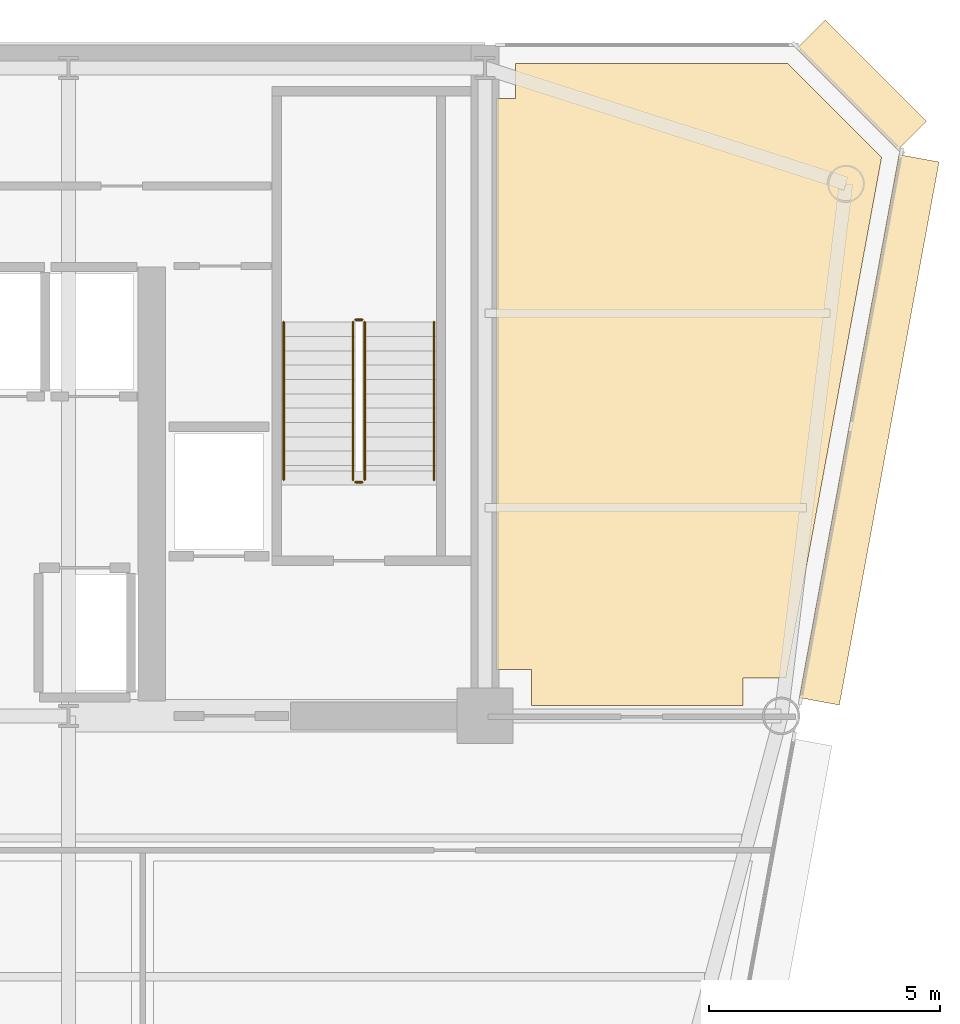
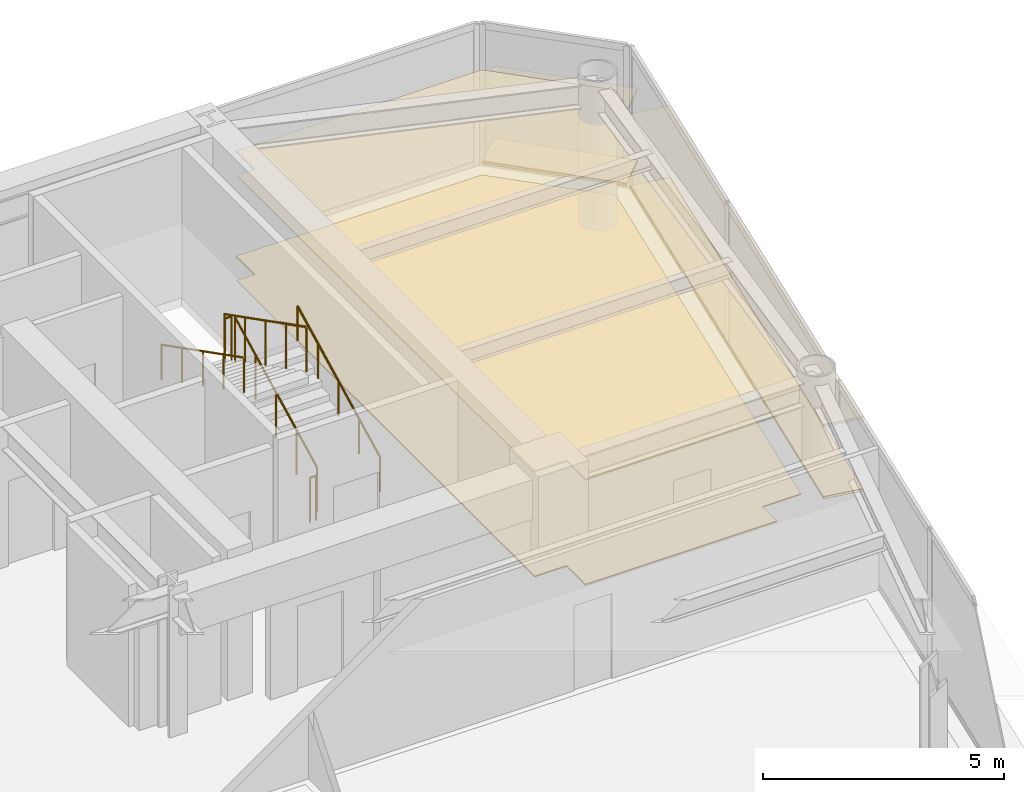
# One storey, part 15 of 15: 6 coverings, 6 railings.
"""IFC4 building model written with IfcOpenShell, lengths in metres."""

from ifc_helpers import new_model, si_unit, direction, frame, origin, origin_2d, place, context, subcontext, project, spatial, polyline, rectangle, circle, outline, extrude, source, transform, mapped, material, layer, layer_set, type_object, element, save


model = new_model("IFC4")

# Units and contexts
model_context = context("Model", 3, precision=1e-05, world=origin(), true_north=direction((0.0, 1.0)))
body_context = subcontext(model_context, "Body", "Model", "MODEL_VIEW")
ifc_project = project(units=[si_unit("LENGTHUNIT", "METRE"), si_unit("AREAUNIT", "SQUARE_METRE"), si_unit("VOLUMEUNIT", "CUBIC_METRE"), si_unit("PLANEANGLEUNIT", "RADIAN"), si_unit("MASSUNIT", "GRAM", prefix="KILO")], contexts=[model_context])

# Site, building, storey
site_placement = place(None, origin())
site = spatial("IfcSite", under=ifc_project, at=site_placement, CompositionType="ELEMENT")
building_placement = place(site_placement, origin())
building = spatial("IfcBuilding", under=site, at=building_placement, Name="Vaeldorn Concourse Tower", CompositionType="ELEMENT")
storey_placement = place(building_placement, frame((0.0, 0.0, 199.39990234375)))
storey = spatial("IfcBuildingStorey", under=building, at=storey_placement, Name="L51", CompositionType="ELEMENT", Elevation=199.39990234375)

# Coverings
ifc_material_1 = material(Name="Acoustic Mineral Fibre Board", Category="gypsum")
ifc_layer_1 = layer(ifc_material_1, 0.0400390625)
ifc_layer_set_1 = layer_set([ifc_layer_1], Name="Acoustic Mineral Fibre Board")
covering_type_1 = type_object("IfcCoveringType", Name="COV-CEIL-ACOUSTIC", PredefinedType="CEILING", material=ifc_layer_set_1)
covering_1_placement = place(storey_placement, frame((0.0, 0.0, 2.650146484375)))
element("IfcCovering", 1, at=covering_1_placement, inside=storey, type_object=covering_type_1, Name="Suspended Acoustic Ceiling L51-4", PredefinedType="CEILING", context=body_context, shape_type="SweptSolid", body=[
    extrude(outline(polyline([(54.659912109375, 49.840087890625), (54.659912109375, 50.60009765625), (60.5341796875, 50.60009765625), (62.568603515625, 48.565673828125), (60.50390625, 37.320068359375), (59.580078125, 37.320068359375), (59.580078125, 36.719970703125), (55.0, 36.719970703125), (55.0, 37.5), (54.239990234375, 37.5), (54.239990234375, 49.840087890625), (54.659912109375, 49.840087890625)])), origin(), (0.0, 0.0, 1.0), 0.0400390625),
])
ifc_material_2 = material(Name="Honed Limestone Terrazzo Flooring", Category="masonry")
ifc_layer_2 = layer(ifc_material_2, 0.0400390625)
ifc_layer_set_2 = layer_set([ifc_layer_2], Name="Honed Limestone Terrazzo Flooring")
covering_type_2 = type_object("IfcCoveringType", Name="COV-FLOOR-STONE", PredefinedType="FLOORING", material=ifc_layer_set_2)
covering_2_placement = place(storey_placement, origin())
element("IfcCovering", 2, at=covering_2_placement, inside=storey, type_object=covering_type_2, Name="Floor Finish Covering L51-4", PredefinedType="FLOORING", context=body_context, shape_type="SweptSolid", body=[
    extrude(outline(polyline([(54.659912109375, 49.840087890625), (54.659912109375, 50.60009765625), (60.5341796875, 50.60009765625), (62.568603515625, 48.565673828125), (60.50390625, 37.320068359375), (59.580078125, 37.320068359375), (59.580078125, 36.719970703125), (55.0, 36.719970703125), (55.0, 37.5), (54.239990234375, 37.5), (54.239990234375, 49.840087890625), (54.659912109375, 49.840087890625)])), origin(), (0.0, 0.0, 1.0), 0.030029296875),
])

# Railings
ifc_material_3 = material(Name="Anodised Bronze Aluminium", Category="aluminium")
railing_type_1 = type_object("IfcRailingType", Name="RL-STAIR-GUARD", PredefinedType="GUARDRAIL", material=ifc_material_3)
railing_1_placement = place(storey_placement, frame((51.39990234375, 41.60009765625, 0.158447265625)))
element("IfcRailing", 3, at=railing_1_placement, inside=storey, type_object=railing_type_1, Name="L51 ST-2 stair guard 1", PredefinedType="GUARDRAIL", context=body_context, shape_type="SweptSolid", body=[
    extrude(circle(Radius=0.02392578125, at=origin_2d()), frame((0.0, 0.0, 1.1259765625), z_axis=(0.0, 0.890555807335, 0.454873997962), x_axis=(-1.0, 0.0, 0.0)), (0.0, 0.0, 1.0), 3.828857421875),
    extrude(circle(Radius=0.02099609375, at=origin_2d()), origin(), (0.0, 0.0, 1.0), 1.101806640625),
    extrude(circle(Radius=0.02099609375, at=origin_2d()), frame((0.0, 0.8525390625, 0.435546875)), (0.0, 0.0, 1.0), 1.101806640625),
    extrude(circle(Radius=0.02099609375, at=origin_2d()), frame((0.0, 1.705078125, 0.870849609375)), (0.0, 0.0, 1.0), 1.101806640625),
    extrude(circle(Radius=0.02099609375, at=origin_2d()), frame((0.0, 2.557373046875, 1.30615234375)), (0.0, 0.0, 1.0), 1.101806640625),
    extrude(circle(Radius=0.02099609375, at=origin_2d()), frame((0.0, 3.409912109375, 1.74169921875)), (0.0, 0.0, 1.0), 1.101806640625),
])
railing_2_placement = place(storey_placement, frame((51.35009765625, 45.06005859375, 1.900146484375)))
element("IfcRailing", 4, at=railing_2_placement, inside=storey, type_object=railing_type_1, Name="L51 ST-2 stair guard 2", PredefinedType="GUARDRAIL", context=body_context, shape_type="SweptSolid", body=[
    extrude(circle(Radius=0.02392578125, at=origin_2d()), frame((0.0, 0.0, 1.1259765625), z_axis=(-1.0, 0.0, 0.0), x_axis=(0.0, -1.0, 0.0)), (0.0, 0.0, 1.0), 0.150146484375),
    extrude(circle(Radius=0.02099609375, at=origin_2d()), origin(), (0.0, 0.0, 1.0), 1.101806640625),
    extrude(circle(Radius=0.02099609375, at=origin_2d()), frame((-0.150146484375, 0.0, 0.0)), (0.0, 0.0, 1.0), 1.101806640625),
])
railing_3_placement = place(storey_placement, frame((51.14990234375, 45.010009765625, 2.058349609375)))
element("IfcRailing", 5, at=railing_3_placement, inside=storey, type_object=railing_type_1, Name="L51 ST-2 stair guard 3", PredefinedType="GUARDRAIL", context=body_context, shape_type="SweptSolid", body=[
    extrude(circle(Radius=0.02392578125, at=origin_2d()), frame((0.0, 0.0, 1.1259765625), z_axis=(0.0, -0.890555807335, 0.454873997962), x_axis=(1.0, 0.0, 0.0)), (0.0, 0.0, 1.0), 3.828857421875),
    extrude(circle(Radius=0.02099609375, at=origin_2d()), origin(), (0.0, 0.0, 1.0), 1.101806640625),
    extrude(circle(Radius=0.02099609375, at=origin_2d()), frame((0.0, -0.8525390625, 0.435546875)), (0.0, 0.0, 1.0), 1.101806640625),
    extrude(circle(Radius=0.02099609375, at=origin_2d()), frame((0.0, -1.705078125, 0.870849609375)), (0.0, 0.0, 1.0), 1.101806640625),
    extrude(circle(Radius=0.02099609375, at=origin_2d()), frame((0.0, -2.557373046875, 1.30615234375)), (0.0, 0.0, 1.0), 1.101806640625),
    extrude(circle(Radius=0.02099609375, at=origin_2d()), frame((0.0, -3.409912109375, 1.74169921875)), (0.0, 0.0, 1.0), 1.101806640625),
])
railing_4_placement = place(storey_placement, frame((51.35009765625, 41.550048828125, 0.0)))
element("IfcRailing", 6, at=railing_4_placement, inside=storey, type_object=railing_type_1, Name="L51 ST-2 stair guard 4", PredefinedType="GUARDRAIL", context=body_context, shape_type="SweptSolid", body=[
    extrude(circle(Radius=0.02392578125, at=origin_2d()), frame((0.0, 0.0, 1.1259765625), z_axis=(-1.0, 0.0, 0.0), x_axis=(0.0, -1.0, 0.0)), (0.0, 0.0, 1.0), 0.150146484375),
    extrude(circle(Radius=0.02099609375, at=origin_2d()), origin(), (0.0, 0.0, 1.0), 1.101806640625),
    extrude(circle(Radius=0.02099609375, at=origin_2d()), frame((-0.150146484375, 0.0, 0.0)), (0.0, 0.0, 1.0), 1.101806640625),
])
railing_type_2 = type_object("IfcRailingType", Name="RL-STAIR-HANDRAIL", PredefinedType="HANDRAIL", material=ifc_material_3)
railing_5_placement = place(storey_placement, frame((52.89990234375, 41.60009765625, 0.158447265625)))
element("IfcRailing", 7, at=railing_5_placement, inside=storey, type_object=railing_type_2, Name="L51 ST-2 stair handrail 1", PredefinedType="HANDRAIL", context=body_context, shape_type="SweptSolid", body=[
    extrude(circle(Radius=0.02392578125, at=origin_2d()), frame((0.0, 0.0, 0.8759765625), z_axis=(0.0, 0.890555807335, 0.454873997962), x_axis=(-1.0, 0.0, 0.0)), (0.0, 0.0, 1.0), 3.828857421875),
    extrude(circle(Radius=0.02099609375, at=origin_2d()), origin(), (0.0, 0.0, 1.0), 0.851806640625),
    extrude(circle(Radius=0.02099609375, at=origin_2d()), frame((0.0, 0.8525390625, 0.435546875)), (0.0, 0.0, 1.0), 0.851806640625),
    extrude(circle(Radius=0.02099609375, at=origin_2d()), frame((0.0, 1.705078125, 0.870849609375)), (0.0, 0.0, 1.0), 0.851806640625),
    extrude(circle(Radius=0.02099609375, at=origin_2d()), frame((0.0, 2.557373046875, 1.30615234375)), (0.0, 0.0, 1.0), 0.851806640625),
    extrude(circle(Radius=0.02099609375, at=origin_2d()), frame((0.0, 3.409912109375, 1.74169921875)), (0.0, 0.0, 1.0), 0.851806640625),
])
railing_6_placement = place(storey_placement, frame((49.64990234375, 45.010009765625, 2.058349609375)))
element("IfcRailing", 8, at=railing_6_placement, inside=storey, type_object=railing_type_2, Name="L51 ST-2 stair handrail 2", PredefinedType="HANDRAIL", context=body_context, shape_type="SweptSolid", body=[
    extrude(circle(Radius=0.02392578125, at=origin_2d()), frame((0.0, 0.0, 0.8759765625), z_axis=(0.0, -0.890555807335, 0.454873997962), x_axis=(1.0, 0.0, 0.0)), (0.0, 0.0, 1.0), 3.828857421875),
    extrude(circle(Radius=0.02099609375, at=origin_2d()), origin(), (0.0, 0.0, 1.0), 0.851806640625),
    extrude(circle(Radius=0.02099609375, at=origin_2d()), frame((0.0, -0.8525390625, 0.435546875)), (0.0, 0.0, 1.0), 0.851806640625),
    extrude(circle(Radius=0.02099609375, at=origin_2d()), frame((0.0, -1.705078125, 0.870849609375)), (0.0, 0.0, 1.0), 0.851806640625),
    extrude(circle(Radius=0.02099609375, at=origin_2d()), frame((0.0, -2.557373046875, 1.30615234375)), (0.0, 0.0, 1.0), 0.851806640625),
    extrude(circle(Radius=0.02099609375, at=origin_2d()), frame((0.0, -3.409912109375, 1.74169921875)), (0.0, 0.0, 1.0), 0.851806640625),
])

# Coverings
ifc_layer_3 = layer(ifc_material_3, 0.06494140625)
ifc_layer_set_3 = layer_set([ifc_layer_3], Name="Anodised Bronze Aluminium")
covering_type_3 = type_object("IfcCoveringType", Name="SD-BRONZE-SUNSHADE", PredefinedType="USERDEFINED", material=ifc_layer_set_3)
shared_shape_1 = source(origin(), body_context, "Body", "SweptSolid", [
    extrude(rectangle(XDim=3.0927734375, YDim=0.8798828125, at=origin_2d()), origin(), (0.0, 0.0, 1.0), 0.06494140625),
])
for number, where, z_axis, x_axis, name in (
    (9, (62.1328125, 50.1328125, 0.047607421875), (0.0, 0.0, 1.0), (-0.707106781187, 0.707106781187, 0.0), "Horizontal Bronze Sunshade L51-E08.1.1"),
    (10, (62.1328125, 50.1328125, 1.86767578125), (0.0, 0.0, 1.0), (-0.707106781187, 0.707106781187, 0.0), "Horizontal Bronze Sunshade L51-E08.1.2"),
):
    element("IfcCovering", number, at=place(storey_placement, frame(where, z_axis=z_axis, x_axis=x_axis)), inside=storey, type_object=covering_type_3, Name=name, ObjectType="SUNSHADE", PredefinedType="USERDEFINED", context=body_context, shape_type="MappedRepresentation", body=[
        mapped(shared_shape_1, transform((0.0, 0.0, 0.0), scale=1.0)),
    ])
shared_shape_2 = source(origin(), body_context, "Body", "SweptSolid", [
    extrude(rectangle(XDim=11.931396484375, YDim=0.8798828125, at=origin_2d()), origin(), (0.0, 0.0, 1.0), 0.06494140625),
])
for number, where, z_axis, x_axis, name in (
    (11, (62.3017578125, 42.681396484375, 0.047607421875), (0.0, 0.0, 1.0), (0.180587811053, 0.983558865803, 0.0), "Horizontal Bronze Sunshade L51-E07.2.1"),
    (12, (62.3017578125, 42.681396484375, 1.86767578125), (0.0, 0.0, 1.0), (0.180587811053, 0.983558865803, 0.0), "Horizontal Bronze Sunshade L51-E07.2.2"),
):
    element("IfcCovering", number, at=place(storey_placement, frame(where, z_axis=z_axis, x_axis=x_axis)), inside=storey, type_object=covering_type_3, Name=name, ObjectType="SUNSHADE", PredefinedType="USERDEFINED", context=body_context, shape_type="MappedRepresentation", body=[
        mapped(shared_shape_2, transform((0.0, 0.0, 0.0), scale=1.0)),
    ])

save(model, "model.ifc")
